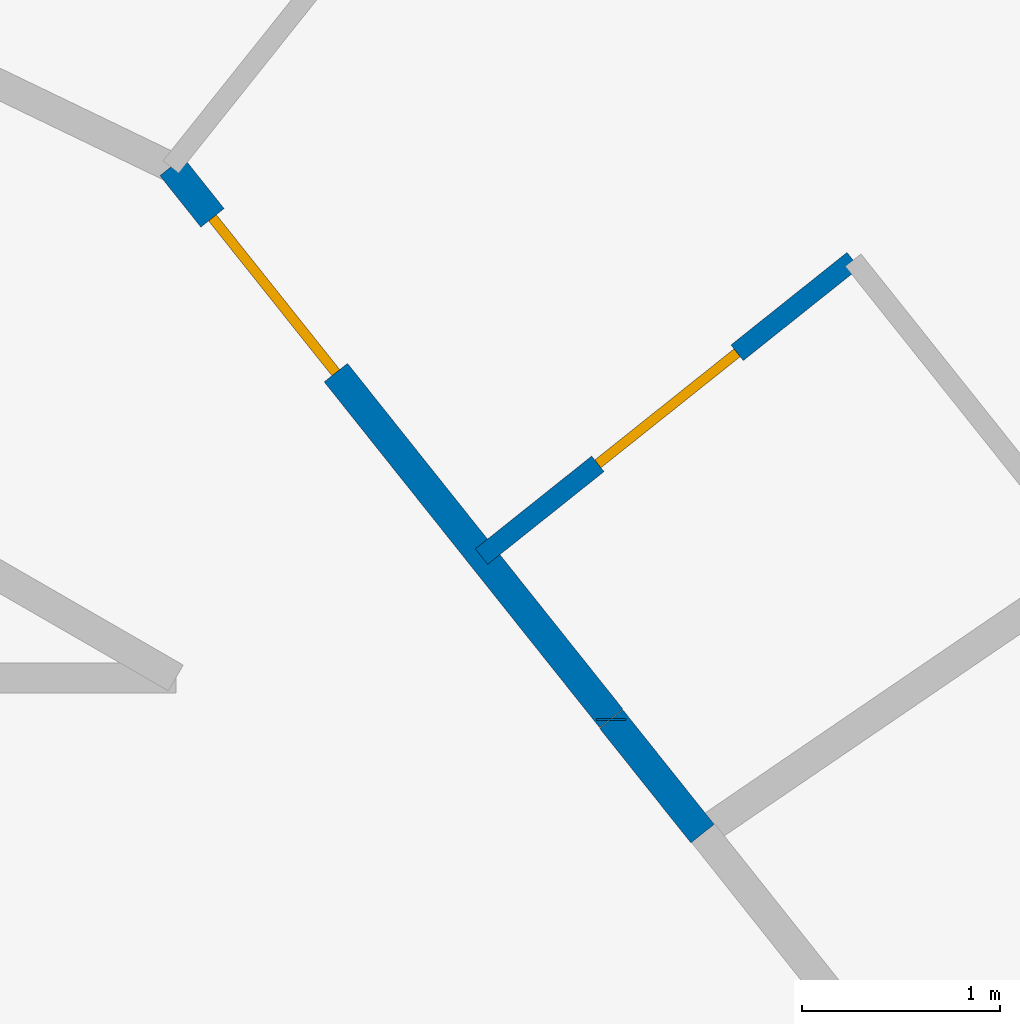
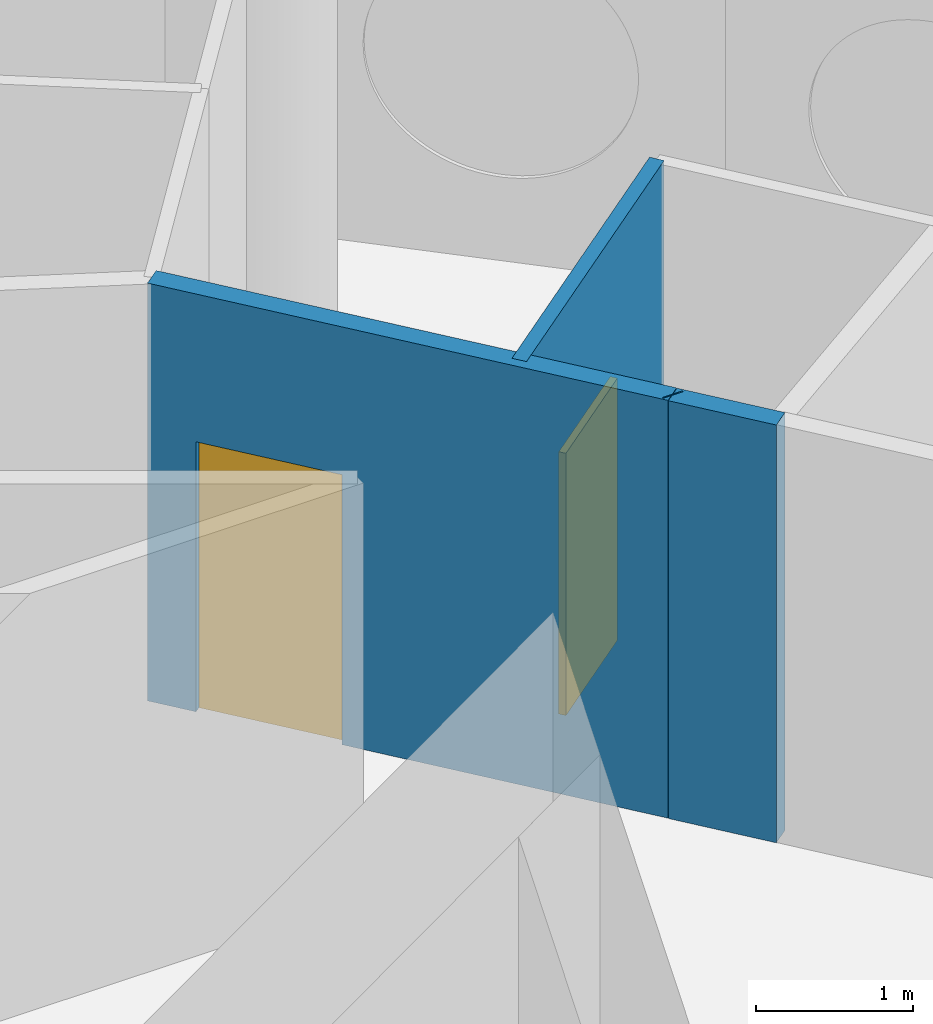
# One storey, part 9 of 13: 4 walls, 2 doors, 2 openings.
"""IFC4 building model written with IfcOpenShell, lengths in metres."""

from ifc_helpers import new_model, si_unit, direction, frame, frame_2d, origin, place, context, subcontext, project, spatial, rectangle, extrude, material, layer, layer_set, type_object, element, fill, save


model = new_model("IFC4")

# Units and contexts
model_context = context("Model", 3, precision=1e-05, world=origin(), true_north=direction((0.0, 1.0)))
body_context = subcontext(model_context, "Body", "Model", "MODEL_VIEW")
ifc_project = project(units=[si_unit("LENGTHUNIT", "METRE"), si_unit("AREAUNIT", "SQUARE_METRE"), si_unit("VOLUMEUNIT", "CUBIC_METRE"), si_unit("PLANEANGLEUNIT", "RADIAN"), si_unit("MASSUNIT", "GRAM", prefix="KILO")], contexts=[model_context])

# Site, building, storey
site_placement = place(None, origin())
site = spatial("IfcSite", under=ifc_project, at=site_placement, CompositionType="ELEMENT")
building_placement = place(site_placement, origin())
building = spatial("IfcBuilding", under=site, at=building_placement, Name="Tracery Tower", CompositionType="ELEMENT")
storey_placement = place(building_placement, frame((0.0, 0.0, 252.60009765625)))
storey = spatial("IfcBuildingStorey", under=building, at=storey_placement, Name="L65", CompositionType="ELEMENT", Elevation=252.60009765625)

# Wall, opening, door
ifc_material_1 = material(Name="Plasterboard on steel studs", Category="steel")
ifc_layer_1 = layer(ifc_material_1, 0.10009765625)
ifc_layer_set_1 = layer_set([ifc_layer_1], Name="Partition 100 wet wall")
wall_type_1 = type_object("IfcWallType", Name="Partition 100 wet wall", PredefinedType="PARTITIONING", material=ifc_layer_set_1)
wall_1_placement = place(storey_placement, frame((10.64501953125, 9.4130859375, 0.0), z_axis=(0.0, 0.0, 1.0), x_axis=(0.781830263661, 0.623491330191, 0.0)))
wall_1 = element("IfcWall", 1, at=wall_1_placement, inside=storey, type_object=wall_type_1, Name="Wet wall RC3-064", PredefinedType="PARTITIONING", context=body_context, shape_type="SweptSolid", body=[
    extrude(rectangle(XDim=2.400634765625, YDim=0.10009765625, at=frame_2d((1.2001953125, 0.0))), origin(), (0.0, 0.0, 1.0), 3.25),
])
opening_1_placement = place(wall_1_placement, frame((0.7509765625, 0.0, 0.0)))
opening_1 = element("IfcOpeningElement", 2, at=opening_1_placement, cuts=wall_1, Name="Opening RC3-13", PredefinedType="OPENING", context=body_context, shape_type="SweptSolid", body=[
    extrude(rectangle(XDim=0.89990234375, YDim=2.0400390625, at=frame_2d((0.449951171875, 1.02001953125))), frame((0.0, 0.050048828125, 0.0), z_axis=(0.0, -1.0, 0.0), x_axis=(1.0, 0.0, 0.0)), (0.0, 0.0, 1.0), 0.10009765625),
])
ifc_material_2 = material(Name="Timber door leaf", Category="wood")
door_type_1 = type_object("IfcDoorType", Name="Door en-suite 900", OperationType="NOTDEFINED", PredefinedType="DOOR", material=ifc_material_2)
door_1_placement = place(opening_1_placement, origin())
door_1 = element("IfcDoor", 3, at=door_1_placement, inside=storey, type_object=door_type_1, Name="En-suite door RC3-13", OperationType="SINGLE_SWING_LEFT", OverallHeight=2.0400390625, OverallWidth=0.89990234375, PredefinedType="DOOR", context=body_context, shape_type="SweptSolid", body=[
    extrude(rectangle(XDim=0.89990234375, YDim=2.0400390625, at=frame_2d((0.449951171875, 1.02001953125))), frame((0.0, 0.02490234375, 0.0), z_axis=(0.0, -1.0, 0.0), x_axis=(1.0, 0.0, 0.0)), (0.0, 0.0, 1.0), 0.050048828125),
])
fill(opening_1, door_1)

ifc_material_3 = material(Name="Plasterboard on steel studs", Category="steel")
ifc_layer_2 = layer(ifc_material_3, 0.14990234375)
ifc_layer_set_2 = layer_set([ifc_layer_2], Name="Partition 150 corridor wall")
wall_type_2 = type_object("IfcWallType", Name="Partition 150 corridor wall", PredefinedType="PARTITIONING", material=ifc_layer_set_2)
wall_2_placement = place(storey_placement, frame((9.0791015625, 11.383544921875, 0.0), z_axis=(0.0, 0.0, 1.0), x_axis=(0.623165080354, -0.782090328944, 0.0)))
wall_2 = element("IfcWall", 4, at=wall_2_placement, inside=storey, type_object=wall_type_2, Name="Corridor wall RC3-005", PredefinedType="PARTITIONING", context=body_context, shape_type="SweptSolid", body=[
    extrude(rectangle(XDim=3.56396484375, YDim=0.14990234375, at=frame_2d((1.781982421875, 0.0))), origin(), (0.0, 0.0, 1.0), 3.25),
])
opening_2_placement = place(wall_2_placement, frame((0.33203125, 0.0, 0.0)))
opening_2 = element("IfcOpeningElement", 5, at=opening_2_placement, cuts=wall_2, Name="Opening RC3-12", PredefinedType="OPENING", context=body_context, shape_type="SweptSolid", body=[
    extrude(rectangle(XDim=1.0, YDim=2.10009765625, at=frame_2d((0.5, 1.050048828125))), frame((0.0, 0.074951171875, 0.0), z_axis=(0.0, -1.0, 0.0), x_axis=(1.0, 0.0, 0.0)), (0.0, 0.0, 1.0), 0.14990234375),
])
ifc_material_4 = material(Name="Timber door leaf", Category="wood")
door_type_2 = type_object("IfcDoorType", Name="Door unit entrance 1000", OperationType="NOTDEFINED", PredefinedType="DOOR", material=ifc_material_4)
door_2_placement = place(opening_2_placement, origin())
door_2 = element("IfcDoor", 6, at=door_2_placement, inside=storey, type_object=door_type_2, Name="Unit entrance door RC3-12", OperationType="SINGLE_SWING_RIGHT", OverallHeight=2.10009765625, OverallWidth=1.0, PredefinedType="DOOR", context=body_context, shape_type="SweptSolid", body=[
    extrude(rectangle(XDim=1.0, YDim=2.10009765625, at=frame_2d((0.5, 1.050048828125))), frame((0.0, 0.02490234375, 0.0), z_axis=(0.0, -1.0, 0.0), x_axis=(1.0, 0.0, 0.0)), (0.0, 0.0, 1.0), 0.050048828125),
])
fill(opening_2, door_2)

# Walls
wall_3_placement = place(storey_placement, frame((11.300048828125, 8.5859375, 0.0), z_axis=(0.0, 0.0, 1.0), x_axis=(0.0, 1.0, 0.0)))
element("IfcWall", 7, at=wall_3_placement, inside=storey, type_object=wall_type_2, Name="Corridor wall RC3-007", PredefinedType="PARTITIONING", context=body_context, shape_type="SweptSolid", body=[
    extrude(rectangle(XDim=0.01025390625, YDim=0.14990234375, at=frame_2d((0.005126953125, 0.0))), origin(), (0.0, 0.0, 1.0), 3.25),
])
wall_4_placement = place(storey_placement, frame((11.300048828125, 8.592041015625, 0.0), z_axis=(0.0, 0.0, 1.0), x_axis=(0.623405636383, -0.781898594785, 0.0)))
element("IfcWall", 8, at=wall_4_placement, inside=storey, type_object=wall_type_2, Name="Corridor wall RC3-023", PredefinedType="PARTITIONING", context=body_context, shape_type="SweptSolid", body=[
    extrude(rectangle(XDim=0.739501953125, YDim=0.14990234375, at=frame_2d((0.36962890625, 0.0))), origin(), (0.0, 0.0, 1.0), 3.25),
])

save(model, "model.ifc")
